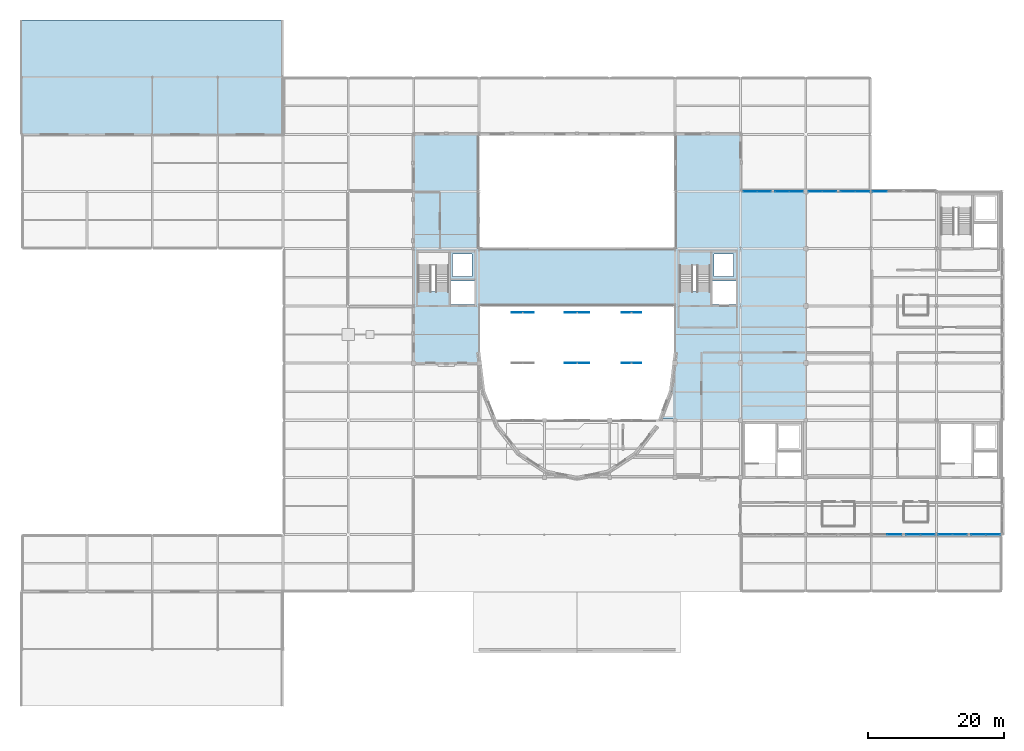
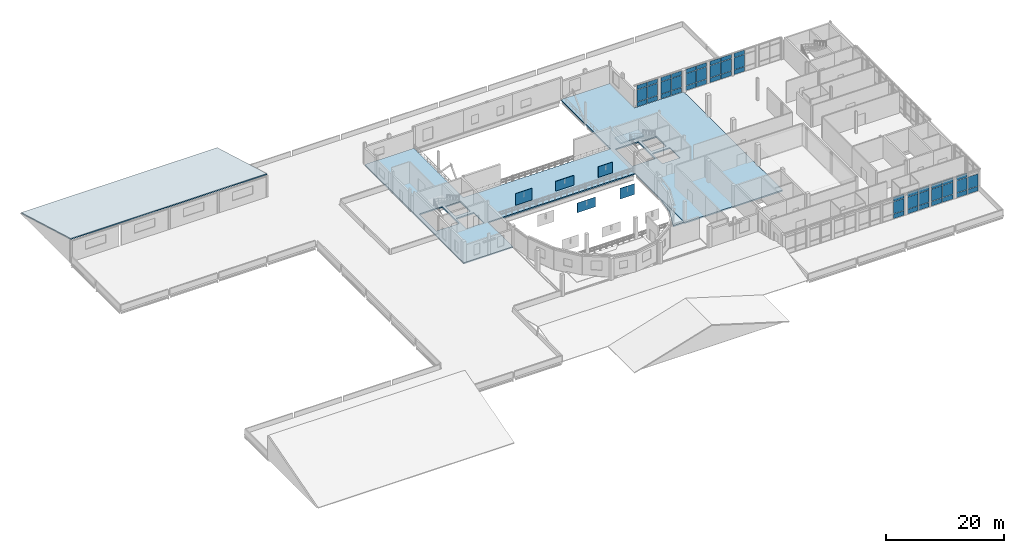
# One storey, part 32 of 52: 52 plates, 4 slabs, 10 elements without a shape of their own.
"""IFC4 building model written with IfcOpenShell, lengths in metres."""

import ifcopenshell
import ifcopenshell.guid

model = None  # the IFC model being written
_history = None  # IfcOwnerHistory: only IFC2X3 demands one
_inside = {}  # id of a spatial element -> (the spatial element, [elements in it])
_under = {}  # id of a project, library or spatial element -> (it, [spatial elements below it])
_declared = {}  # id of a project -> (the project, [libraries it declares])
_typed = {}  # id of a type object -> (the type object, [elements of that type])
_made_of = {}  # id of a material, layer set ... -> (it, [elements and type objects made of it])


def new_model(schema):
    """Start an empty IFC model of exactly this schema.

    Asked for "IFC4X3", IfcOpenShell would pick the latest addendum, in which some entities
    have other attributes; the version numbers below select the first issue.
    IFC2X3 requires an IfcOwnerHistory on every rooted entity: one is made here for all.
    """
    global model, _history
    if schema == "IFC4X3":
        model = ifcopenshell.file(schema_version=(4, 3, 0, 0))
    else:
        model = ifcopenshell.file(schema=schema)
    _inside.clear()
    _under.clear()
    _declared.clear()
    _typed.clear()
    _made_of.clear()
    _history = None
    if model.schema == "IFC2X3":
        org = make("IfcOrganization", Name="unknown")
        user = make(
            "IfcPersonAndOrganization",
            ThePerson=make("IfcPerson", FamilyName="unknown"),
            TheOrganization=org,
        )
        app = make(
            "IfcApplication",
            ApplicationDeveloper=org,
            Version="unknown",
            ApplicationFullName="unknown",
            ApplicationIdentifier="unknown",
        )
        _history = make(
            "IfcOwnerHistory",
            OwningUser=user,
            OwningApplication=app,
            ChangeAction="ADDED",
            CreationDate=0,
        )
    return model


def make(cls, **values):
    """One entity of the class cls with the attributes given. An attribute that is None is left unset."""
    return model.create_entity(
        cls, **{name: value for name, value in values.items() if value is not None}
    )


def rooted(cls, **values):
    """An entity with a GlobalId (a new one), such as an element, a storey or a relation."""
    return make(cls, GlobalId=ifcopenshell.guid.new(), OwnerHistory=_history, **values)


def si_unit(unit_type, name, prefix=None):
    """IfcSIUnit, for example si_unit("LENGTHUNIT", "METRE", prefix="MILLI")."""
    return make("IfcSIUnit", UnitType=unit_type, Prefix=prefix, Name=name)


def assignment(units):
    """IfcUnitAssignment: the units of a project."""
    return None if units is None else make("IfcUnitAssignment", Units=units)


def point(xyz):
    """IfcCartesianPoint."""
    return None if xyz is None else make("IfcCartesianPoint", Coordinates=xyz)


def direction(xyz):
    """IfcDirection."""
    return None if xyz is None else make("IfcDirection", DirectionRatios=xyz)


def frame(location, z_axis=None, x_axis=None):
    """IfcAxis2Placement3D, a coordinate frame: its origin and axes. An axis left out is left unset."""
    return make(
        "IfcAxis2Placement3D",
        Location=point(location),
        Axis=direction(z_axis),
        RefDirection=direction(x_axis),
    )


def frame_2d(location, x_axis=None):
    """IfcAxis2Placement2D, a coordinate frame in the plane: its origin and x axis."""
    return make(
        "IfcAxis2Placement2D", Location=point(location), RefDirection=direction(x_axis)
    )


def origin():
    """The frame at (0, 0, 0) with its axes left unset."""
    return frame((0.0, 0.0, 0.0))


def origin_2d():
    """The frame at (0, 0) in the plane with its x axis left unset."""
    return frame_2d((0.0, 0.0))


def place(relative_to, where):
    """IfcLocalPlacement: puts the frame where relative to a parent placement (None: the world)."""
    return make(
        "IfcLocalPlacement", PlacementRelTo=relative_to, RelativePlacement=where
    )


def context(
    kind, dimensions, precision=None, world=None, true_north=None, identifier=None
):
    """IfcGeometricRepresentationContext, for example the 3D "Model" context."""
    return make(
        "IfcGeometricRepresentationContext",
        ContextIdentifier=identifier,
        ContextType=kind,
        CoordinateSpaceDimension=dimensions,
        Precision=precision,
        WorldCoordinateSystem=world,
        TrueNorth=true_north,
    )


def subcontext(parent, identifier, kind, view, scale=None):
    """IfcGeometricRepresentationSubContext, for example "Body" below "Model"."""
    return make(
        "IfcGeometricRepresentationSubContext",
        ContextIdentifier=identifier,
        ContextType=kind,
        ParentContext=parent,
        TargetScale=scale,
        TargetView=view,
    )


def project(units=None, contexts=None):
    """IfcProject with its units and contexts."""
    return rooted(
        "IfcProject",
        Name="project",
        RepresentationContexts=contexts,
        UnitsInContext=assignment(units),
    )


def spatial(cls, under=None, at=None, **own):
    """A site, building, storey or space (cls), placed at a placement, below another one or the project."""
    s = rooted(cls, ObjectPlacement=at, **own)
    if under is not None:
        _under.setdefault(under.id(), (under, []))[1].append(s)
    return s


def polyline(points):
    """IfcPolyline through the points."""
    return make("IfcPolyline", Points=[point(p) for p in points])


def profile(cls, at=None, kind="AREA", **sizes):
    """A parametric profile (cls). Its sizes go by their IFC names, for example OverallWidth=200.0."""
    return make(cls, ProfileType=kind, Position=at, **sizes)


def rectangle(**sizes):
    """IfcRectangleProfileDef."""
    return profile("IfcRectangleProfileDef", **sizes)


def outline(outer, holes=None, kind="AREA"):
    """IfcArbitraryClosedProfileDef: a profile drawn as a closed curve; with holes, ...WithVoids."""
    if holes is None:
        return make("IfcArbitraryClosedProfileDef", ProfileType=kind, OuterCurve=outer)
    return make(
        "IfcArbitraryProfileDefWithVoids",
        ProfileType=kind,
        OuterCurve=outer,
        InnerCurves=holes,
    )


def extrude(swept, where, along, depth):
    """IfcExtrudedAreaSolid: the profile swept, set in the frame where, extruded along a direction by depth."""
    return make(
        "IfcExtrudedAreaSolid",
        SweptArea=swept,
        Position=where,
        ExtrudedDirection=direction(along),
        Depth=depth,
    )


def shape(context_of_items, identifier, shape_type, items):
    """IfcShapeRepresentation: the items that make up one representation, for example the "Body"."""
    return make(
        "IfcShapeRepresentation",
        ContextOfItems=context_of_items,
        RepresentationIdentifier=identifier,
        RepresentationType=shape_type,
        Items=items,
    )


def material(Name=None, Category=None):
    """IfcMaterial."""
    return make("IfcMaterial", Name=Name, Category=Category)


def layer(
    of_material, thickness, ventilated=None, Name=None, Category=None, Priority=None
):
    """IfcMaterialLayer: one layer of a wall or slab, of a material (None: an air gap)."""
    return make(
        "IfcMaterialLayer",
        Material=of_material,
        LayerThickness=thickness,
        IsVentilated=ventilated,
        Name=Name,
        Category=Category,
        Priority=Priority,
    )


def layer_set(layers, Name=None):
    """IfcMaterialLayerSet."""
    return make("IfcMaterialLayerSet", MaterialLayers=layers, LayerSetName=Name)


def made_of(thing, what):
    """Note that an element or type object is made of a material, layer set ...; save() writes the relation."""
    if what is not None:
        _made_of.setdefault(what.id(), (what, []))[1].append(thing)
    return thing


def type_object(cls, material=None, **own):
    """A type object (cls), such as IfcWallType, which elements share."""
    return made_of(rooted(cls, **own), material)


def element(
    cls,
    number,
    at=None,
    inside=None,
    cuts=None,
    type_object=None,
    material=None,
    context=None,
    identifier="Body",
    shape_type=None,
    held_by="IfcProductDefinitionShape",
    body=None,
    shapes=None,
    **own,
):
    """One element of the class cls, such as IfcWall. Its Tag is "e" and its number.

    at: its placement. inside: the storey or other place that contains it. cuts: it is an
    opening in that element (IfcRelVoidsElement). A single representation is given by context,
    identifier, shape_type and body (its items); several are given by shapes. held_by: the class
    of the entity that holds the representations. save() writes the other relations.
    """
    e = rooted(cls, Tag="e%d" % number, ObjectPlacement=at, **own)
    if body is not None:
        shapes = [shape(context, identifier, shape_type, body)]
    if shapes is not None:
        e.Representation = make(held_by, Representations=shapes)
    if inside is not None:
        _inside.setdefault(inside.id(), (inside, []))[1].append(e)
    if cuts is not None:
        rooted(
            "IfcRelVoidsElement", RelatingBuildingElement=cuts, RelatedOpeningElement=e
        )
    if type_object is not None:
        _typed.setdefault(type_object.id(), (type_object, []))[1].append(e)
    return made_of(e, material)


def aggregate(whole, parts):
    """IfcRelAggregates: a whole, such as a stair, and the parts it consists of."""
    return rooted("IfcRelAggregates", RelatingObject=whole, RelatedObjects=parts)


def save(model, path):
    """Write the relations noted so far, then the file.

    IfcRelAggregates (storeys below a building ...), IfcRelContainedInSpatialStructure (elements
    in a storey), IfcRelDefinesByType, IfcRelAssociatesMaterial and IfcRelDeclares: one each for
    every whole, place, type object, material and project.
    """
    for whole, parts in _under.values():
        aggregate(whole, parts)
    for where, things in _inside.values():
        rooted(
            "IfcRelContainedInSpatialStructure",
            RelatedElements=things,
            RelatingStructure=where,
        )
    for kind, things in _typed.values():
        rooted("IfcRelDefinesByType", RelatedObjects=things, RelatingType=kind)
    for what, things in _made_of.values():
        rooted("IfcRelAssociatesMaterial", RelatedObjects=things, RelatingMaterial=what)
    for by, libraries in _declared.values():
        rooted("IfcRelDeclares", RelatingContext=by, RelatedDefinitions=libraries)
    model.write(path)


model = new_model("IFC4")

# Units and contexts
model_context = context("Model", 3, precision=1e-05, world=origin(), true_north=direction((0.0, 1.0)))
body_context = subcontext(model_context, "Body", "Model", "MODEL_VIEW")
ifc_project = project(units=[si_unit("LENGTHUNIT", "METRE"), si_unit("AREAUNIT", "SQUARE_METRE"), si_unit("VOLUMEUNIT", "CUBIC_METRE"), si_unit("PLANEANGLEUNIT", "RADIAN"), si_unit("MASSUNIT", "GRAM", prefix="KILO")], contexts=[model_context])

# Site, building, storey
site_placement = place(None, origin())
site = spatial("IfcSite", under=ifc_project, at=site_placement, CompositionType="ELEMENT")
building_placement = place(site_placement, origin())
building = spatial("IfcBuilding", under=site, at=building_placement, Name="Lornevale Opera House", CompositionType="ELEMENT")
storey_placement = place(building_placement, frame((0.0, 0.0, 15.0)))
storey = spatial("IfcBuildingStorey", under=building, at=storey_placement, Name="L04", CompositionType="ELEMENT", Elevation=15.0)

# Curtain wall, plates
ifc_material_1 = material(Name="Anodized Oxide-Green Aluminium Framing", Category="aluminium")
ifc_layer_1 = layer(ifc_material_1, 0.18505859375)
ifc_layer_set_1 = layer_set([ifc_layer_1], Name="Anodized Oxide-Green Aluminium Framing")
curtain_wall_type = type_object("IfcCurtainWallType", Name="Conservatory Curtain Wall M2100", PredefinedType="NOTDEFINED", material=ifc_layer_set_1)
curtain_wall_1_placement = place(storey_placement, origin())
curtain_wall_1 = element("IfcCurtainWall", 1, at=curtain_wall_1_placement, inside=storey, type_object=curtain_wall_type, Name="Conservatory Curtain Wall M2100 CW-151", PredefinedType="NOTDEFINED")
ifc_layer_2 = layer(ifc_material_1, 0.06494140625)
ifc_layer_set_2 = layer_set([ifc_layer_2], Name="Anodized Oxide-Green Aluminium Framing")
plate_type_1 = type_object("IfcPlateType", Name="Insulated Shadow-Box Spandrel 65", PredefinedType="CURTAIN_PANEL", material=ifc_layer_set_2)
plate_1_placement = place(storey_placement, frame((107.043212890625, 75.60009765625, 0.074951171875), z_axis=(0.0, 0.0, 1.0), x_axis=(1.0, 0.0, 0.0)))
plate_1 = element("IfcPlate", 2, at=plate_1_placement, type_object=plate_type_1, Name="Insulated Shadow-Box Spandrel 65 CW3126", PredefinedType="CURTAIN_PANEL", context=body_context, shape_type="SweptSolid", body=[
    extrude(rectangle(XDim=1.964599609375, YDim=0.06494140625, at=origin_2d()), origin(), (0.0, 0.0, 1.0), 0.9375),
])
plate_2_placement = place(storey_placement, frame((107.043212890625, 75.60009765625, 1.08740234375), z_axis=(0.0, 0.0, 1.0), x_axis=(1.0, 0.0, 0.0)))
plate_2 = element("IfcPlate", 3, at=plate_2_placement, type_object=plate_type_1, Name="Insulated Shadow-Box Spandrel 65 CW3127", PredefinedType="CURTAIN_PANEL", context=body_context, shape_type="SweptSolid", body=[
    extrude(rectangle(XDim=1.964599609375, YDim=0.06494140625, at=origin_2d()), origin(), (0.0, 0.0, 1.0), 2.485107421875),
])
plate_3_placement = place(storey_placement, frame((107.043212890625, 75.60009765625, 3.647705078125), z_axis=(0.0, 0.0, 1.0), x_axis=(1.0, 0.0, 0.0)))
plate_3 = element("IfcPlate", 4, at=plate_3_placement, type_object=plate_type_1, Name="Insulated Shadow-Box Spandrel 65 CW3128", PredefinedType="CURTAIN_PANEL", context=body_context, shape_type="SweptSolid", body=[
    extrude(rectangle(XDim=1.964599609375, YDim=0.06494140625, at=origin_2d()), origin(), (0.0, 0.0, 1.0), 0.83740234375),
])
plate_4_placement = place(storey_placement, frame((109.07275390625, 75.60009765625, 0.074951171875), z_axis=(0.0, 0.0, 1.0), x_axis=(1.0, 0.0, 0.0)))
plate_4 = element("IfcPlate", 5, at=plate_4_placement, type_object=plate_type_1, Name="Insulated Shadow-Box Spandrel 65 CW3133", PredefinedType="CURTAIN_PANEL", context=body_context, shape_type="SweptSolid", body=[
    extrude(rectangle(XDim=1.964599609375, YDim=0.06494140625, at=origin_2d()), origin(), (0.0, 0.0, 1.0), 0.9375),
])
plate_5_placement = place(storey_placement, frame((109.07275390625, 75.60009765625, 1.08740234375), z_axis=(0.0, 0.0, 1.0), x_axis=(1.0, 0.0, 0.0)))
plate_5 = element("IfcPlate", 6, at=plate_5_placement, type_object=plate_type_1, Name="Insulated Shadow-Box Spandrel 65 CW3134", PredefinedType="CURTAIN_PANEL", context=body_context, shape_type="SweptSolid", body=[
    extrude(rectangle(XDim=1.964599609375, YDim=0.06494140625, at=origin_2d()), origin(), (0.0, 0.0, 1.0), 2.485107421875),
])
plate_6_placement = place(storey_placement, frame((109.07275390625, 75.60009765625, 3.647705078125), z_axis=(0.0, 0.0, 1.0), x_axis=(1.0, 0.0, 0.0)))
plate_6 = element("IfcPlate", 7, at=plate_6_placement, type_object=plate_type_1, Name="Insulated Shadow-Box Spandrel 65 CW3135", PredefinedType="CURTAIN_PANEL", context=body_context, shape_type="SweptSolid", body=[
    extrude(rectangle(XDim=1.964599609375, YDim=0.06494140625, at=origin_2d()), origin(), (0.0, 0.0, 1.0), 0.83740234375),
])
aggregate(curtain_wall_1, [plate_1, plate_2, plate_3, plate_4, plate_5, plate_6])

curtain_wall_2_placement = place(storey_placement, origin())
curtain_wall_2 = element("IfcCurtainWall", 8, at=curtain_wall_2_placement, inside=storey, type_object=curtain_wall_type, Name="Conservatory Curtain Wall M2100 CW-152", PredefinedType="NOTDEFINED")
plate_7_placement = place(storey_placement, frame((111.73974609375, 75.60009765625, 0.074951171875), z_axis=(0.0, 0.0, 1.0), x_axis=(1.0, 0.0, 0.0)))
plate_7 = element("IfcPlate", 9, at=plate_7_placement, type_object=plate_type_1, Name="Insulated Shadow-Box Spandrel 65 CW3143", PredefinedType="CURTAIN_PANEL", context=body_context, shape_type="SweptSolid", body=[
    extrude(rectangle(XDim=1.989501953125, YDim=0.06494140625, at=origin_2d()), origin(), (0.0, 0.0, 1.0), 0.9375),
])
plate_8_placement = place(storey_placement, frame((111.73974609375, 75.60009765625, 1.08740234375), z_axis=(0.0, 0.0, 1.0), x_axis=(1.0, 0.0, 0.0)))
plate_8 = element("IfcPlate", 10, at=plate_8_placement, type_object=plate_type_1, Name="Insulated Shadow-Box Spandrel 65 CW3144", PredefinedType="CURTAIN_PANEL", context=body_context, shape_type="SweptSolid", body=[
    extrude(rectangle(XDim=1.989501953125, YDim=0.06494140625, at=origin_2d()), origin(), (0.0, 0.0, 1.0), 2.485107421875),
])
plate_9_placement = place(storey_placement, frame((111.73974609375, 75.60009765625, 3.647705078125), z_axis=(0.0, 0.0, 1.0), x_axis=(1.0, 0.0, 0.0)))
plate_9 = element("IfcPlate", 11, at=plate_9_placement, type_object=plate_type_1, Name="Insulated Shadow-Box Spandrel 65 CW3145", PredefinedType="CURTAIN_PANEL", context=body_context, shape_type="SweptSolid", body=[
    extrude(rectangle(XDim=1.989501953125, YDim=0.06494140625, at=origin_2d()), origin(), (0.0, 0.0, 1.0), 0.83740234375),
])
plate_10_placement = place(storey_placement, frame((113.794189453125, 75.60009765625, 0.074951171875), z_axis=(0.0, 0.0, 1.0), x_axis=(1.0, 0.0, 0.0)))
plate_10 = element("IfcPlate", 12, at=plate_10_placement, type_object=plate_type_1, Name="Insulated Shadow-Box Spandrel 65 CW3150", PredefinedType="CURTAIN_PANEL", context=body_context, shape_type="SweptSolid", body=[
    extrude(rectangle(XDim=1.989501953125, YDim=0.06494140625, at=origin_2d()), origin(), (0.0, 0.0, 1.0), 0.9375),
])
plate_11_placement = place(storey_placement, frame((113.794189453125, 75.60009765625, 1.08740234375), z_axis=(0.0, 0.0, 1.0), x_axis=(1.0, 0.0, 0.0)))
plate_11 = element("IfcPlate", 13, at=plate_11_placement, type_object=plate_type_1, Name="Insulated Shadow-Box Spandrel 65 CW3151", PredefinedType="CURTAIN_PANEL", context=body_context, shape_type="SweptSolid", body=[
    extrude(rectangle(XDim=1.989501953125, YDim=0.06494140625, at=origin_2d()), origin(), (0.0, 0.0, 1.0), 2.485107421875),
])
plate_12_placement = place(storey_placement, frame((113.794189453125, 75.60009765625, 3.647705078125), z_axis=(0.0, 0.0, 1.0), x_axis=(1.0, 0.0, 0.0)))
plate_12 = element("IfcPlate", 14, at=plate_12_placement, type_object=plate_type_1, Name="Insulated Shadow-Box Spandrel 65 CW3152", PredefinedType="CURTAIN_PANEL", context=body_context, shape_type="SweptSolid", body=[
    extrude(rectangle(XDim=1.989501953125, YDim=0.06494140625, at=origin_2d()), origin(), (0.0, 0.0, 1.0), 0.83740234375),
])
aggregate(curtain_wall_2, [plate_7, plate_8, plate_9, plate_10, plate_11, plate_12])

curtain_wall_3_placement = place(storey_placement, origin())
curtain_wall_3 = element("IfcCurtainWall", 15, at=curtain_wall_3_placement, inside=storey, type_object=curtain_wall_type, Name="Conservatory Curtain Wall M2100 CW-155", PredefinedType="NOTDEFINED")
plate_13_placement = place(storey_placement, frame((116.605712890625, 75.60009765625, 0.074951171875), z_axis=(0.0, 0.0, 1.0), x_axis=(1.0, 0.0, 0.0)))
plate_13 = element("IfcPlate", 16, at=plate_13_placement, type_object=plate_type_1, Name="Insulated Shadow-Box Spandrel 65 CW3194", PredefinedType="CURTAIN_PANEL", context=body_context, shape_type="SweptSolid", body=[
    extrude(rectangle(XDim=1.989501953125, YDim=0.06494140625, at=origin_2d()), origin(), (0.0, 0.0, 1.0), 0.9375),
])
plate_14_placement = place(storey_placement, frame((116.605712890625, 75.60009765625, 1.08740234375), z_axis=(0.0, 0.0, 1.0), x_axis=(1.0, 0.0, 0.0)))
plate_14 = element("IfcPlate", 17, at=plate_14_placement, type_object=plate_type_1, Name="Insulated Shadow-Box Spandrel 65 CW3195", PredefinedType="CURTAIN_PANEL", context=body_context, shape_type="SweptSolid", body=[
    extrude(rectangle(XDim=1.989501953125, YDim=0.06494140625, at=origin_2d()), origin(), (0.0, 0.0, 1.0), 2.485107421875),
])
plate_15_placement = place(storey_placement, frame((116.605712890625, 75.60009765625, 3.647705078125), z_axis=(0.0, 0.0, 1.0), x_axis=(1.0, 0.0, 0.0)))
plate_15 = element("IfcPlate", 18, at=plate_15_placement, type_object=plate_type_1, Name="Insulated Shadow-Box Spandrel 65 CW3196", PredefinedType="CURTAIN_PANEL", context=body_context, shape_type="SweptSolid", body=[
    extrude(rectangle(XDim=1.989501953125, YDim=0.06494140625, at=origin_2d()), origin(), (0.0, 0.0, 1.0), 0.83740234375),
])
plate_16_placement = place(storey_placement, frame((118.660400390625, 75.60009765625, 0.074951171875), z_axis=(0.0, 0.0, 1.0), x_axis=(1.0, 0.0, 0.0)))
plate_16 = element("IfcPlate", 19, at=plate_16_placement, type_object=plate_type_1, Name="Insulated Shadow-Box Spandrel 65 CW3201", PredefinedType="CURTAIN_PANEL", context=body_context, shape_type="SweptSolid", body=[
    extrude(rectangle(XDim=1.989501953125, YDim=0.06494140625, at=origin_2d()), origin(), (0.0, 0.0, 1.0), 0.9375),
])
plate_17_placement = place(storey_placement, frame((118.660400390625, 75.60009765625, 1.08740234375), z_axis=(0.0, 0.0, 1.0), x_axis=(1.0, 0.0, 0.0)))
plate_17 = element("IfcPlate", 20, at=plate_17_placement, type_object=plate_type_1, Name="Insulated Shadow-Box Spandrel 65 CW3202", PredefinedType="CURTAIN_PANEL", context=body_context, shape_type="SweptSolid", body=[
    extrude(rectangle(XDim=1.989501953125, YDim=0.06494140625, at=origin_2d()), origin(), (0.0, 0.0, 1.0), 2.485107421875),
])
plate_18_placement = place(storey_placement, frame((118.660400390625, 75.60009765625, 3.647705078125), z_axis=(0.0, 0.0, 1.0), x_axis=(1.0, 0.0, 0.0)))
plate_18 = element("IfcPlate", 21, at=plate_18_placement, type_object=plate_type_1, Name="Insulated Shadow-Box Spandrel 65 CW3203", PredefinedType="CURTAIN_PANEL", context=body_context, shape_type="SweptSolid", body=[
    extrude(rectangle(XDim=1.989501953125, YDim=0.06494140625, at=origin_2d()), origin(), (0.0, 0.0, 1.0), 0.83740234375),
])
aggregate(curtain_wall_3, [plate_13, plate_14, plate_15, plate_16, plate_17, plate_18])

curtain_wall_4_placement = place(storey_placement, origin())
curtain_wall_4 = element("IfcCurtainWall", 22, at=curtain_wall_4_placement, inside=storey, type_object=curtain_wall_type, Name="Conservatory Curtain Wall M2100 CW-156", PredefinedType="NOTDEFINED")
plate_19_placement = place(storey_placement, frame((121.380615234375, 75.60009765625, 0.074951171875), z_axis=(0.0, 0.0, 1.0), x_axis=(1.0, 0.0, 0.0)))
plate_19 = element("IfcPlate", 23, at=plate_19_placement, type_object=plate_type_1, Name="Insulated Shadow-Box Spandrel 65 CW3211", PredefinedType="CURTAIN_PANEL", context=body_context, shape_type="SweptSolid", body=[
    extrude(rectangle(XDim=2.0712890625, YDim=0.06494140625, at=origin_2d()), origin(), (0.0, 0.0, 1.0), 0.9375),
])
plate_20_placement = place(storey_placement, frame((121.380615234375, 75.60009765625, 1.08740234375), z_axis=(0.0, 0.0, 1.0), x_axis=(1.0, 0.0, 0.0)))
plate_20 = element("IfcPlate", 24, at=plate_20_placement, type_object=plate_type_1, Name="Insulated Shadow-Box Spandrel 65 CW3212", PredefinedType="CURTAIN_PANEL", context=body_context, shape_type="SweptSolid", body=[
    extrude(rectangle(XDim=2.0712890625, YDim=0.06494140625, at=origin_2d()), origin(), (0.0, 0.0, 1.0), 2.485107421875),
])
plate_21_placement = place(storey_placement, frame((121.380615234375, 75.60009765625, 3.647705078125), z_axis=(0.0, 0.0, 1.0), x_axis=(1.0, 0.0, 0.0)))
plate_21 = element("IfcPlate", 25, at=plate_21_placement, type_object=plate_type_1, Name="Insulated Shadow-Box Spandrel 65 CW3213", PredefinedType="CURTAIN_PANEL", context=body_context, shape_type="SweptSolid", body=[
    extrude(rectangle(XDim=2.0712890625, YDim=0.06494140625, at=origin_2d()), origin(), (0.0, 0.0, 1.0), 0.83740234375),
])
plate_22_placement = place(storey_placement, frame((123.516845703125, 75.60009765625, 0.074951171875), z_axis=(0.0, 0.0, 1.0), x_axis=(1.0, 0.0, 0.0)))
plate_22 = element("IfcPlate", 26, at=plate_22_placement, type_object=plate_type_1, Name="Insulated Shadow-Box Spandrel 65 CW3218", PredefinedType="CURTAIN_PANEL", context=body_context, shape_type="SweptSolid", body=[
    extrude(rectangle(XDim=2.0712890625, YDim=0.06494140625, at=origin_2d()), origin(), (0.0, 0.0, 1.0), 0.9375),
])
plate_23_placement = place(storey_placement, frame((123.516845703125, 75.60009765625, 1.08740234375), z_axis=(0.0, 0.0, 1.0), x_axis=(1.0, 0.0, 0.0)))
plate_23 = element("IfcPlate", 27, at=plate_23_placement, type_object=plate_type_1, Name="Insulated Shadow-Box Spandrel 65 CW3219", PredefinedType="CURTAIN_PANEL", context=body_context, shape_type="SweptSolid", body=[
    extrude(rectangle(XDim=2.0712890625, YDim=0.06494140625, at=origin_2d()), origin(), (0.0, 0.0, 1.0), 2.485107421875),
])
plate_24_placement = place(storey_placement, frame((123.516845703125, 75.60009765625, 3.647705078125), z_axis=(0.0, 0.0, 1.0), x_axis=(1.0, 0.0, 0.0)))
plate_24 = element("IfcPlate", 28, at=plate_24_placement, type_object=plate_type_1, Name="Insulated Shadow-Box Spandrel 65 CW3220", PredefinedType="CURTAIN_PANEL", context=body_context, shape_type="SweptSolid", body=[
    extrude(rectangle(XDim=2.0712890625, YDim=0.06494140625, at=origin_2d()), origin(), (0.0, 0.0, 1.0), 0.83740234375),
])
aggregate(curtain_wall_4, [plate_19, plate_20, plate_21, plate_22, plate_23, plate_24])

curtain_wall_5_placement = place(storey_placement, origin())
curtain_wall_5 = element("IfcCurtainWall", 29, at=curtain_wall_5_placement, inside=storey, type_object=curtain_wall_type, Name="Conservatory Curtain Wall M2100 CW-157", PredefinedType="NOTDEFINED")
plate_25_placement = place(storey_placement, frame((133.116943359375, 25.199951171875, 0.074951171875), z_axis=(0.0, 0.0, 1.0), x_axis=(-1.0, 0.0, 0.0)))
plate_25 = element("IfcPlate", 30, at=plate_25_placement, type_object=plate_type_1, Name="Insulated Shadow-Box Spandrel 65 CW3228", PredefinedType="CURTAIN_PANEL", context=body_context, shape_type="SweptSolid", body=[
    extrude(rectangle(XDim=2.0712890625, YDim=0.06494140625, at=origin_2d()), origin(), (0.0, 0.0, 1.0), 0.9375),
])
plate_26_placement = place(storey_placement, frame((133.116943359375, 25.199951171875, 1.08740234375), z_axis=(0.0, 0.0, 1.0), x_axis=(-1.0, 0.0, 0.0)))
plate_26 = element("IfcPlate", 31, at=plate_26_placement, type_object=plate_type_1, Name="Insulated Shadow-Box Spandrel 65 CW3229", PredefinedType="CURTAIN_PANEL", context=body_context, shape_type="SweptSolid", body=[
    extrude(rectangle(XDim=2.0712890625, YDim=0.06494140625, at=origin_2d()), origin(), (0.0, 0.0, 1.0), 2.485107421875),
])
plate_27_placement = place(storey_placement, frame((133.116943359375, 25.199951171875, 3.647705078125), z_axis=(0.0, 0.0, 1.0), x_axis=(-1.0, 0.0, 0.0)))
plate_27 = element("IfcPlate", 32, at=plate_27_placement, type_object=plate_type_1, Name="Insulated Shadow-Box Spandrel 65 CW3230", PredefinedType="CURTAIN_PANEL", context=body_context, shape_type="SweptSolid", body=[
    extrude(rectangle(XDim=2.0712890625, YDim=0.06494140625, at=origin_2d()), origin(), (0.0, 0.0, 1.0), 0.83740234375),
])
plate_28_placement = place(storey_placement, frame((130.980712890625, 25.199951171875, 0.074951171875), z_axis=(0.0, 0.0, 1.0), x_axis=(-1.0, 0.0, 0.0)))
plate_28 = element("IfcPlate", 33, at=plate_28_placement, type_object=plate_type_1, Name="Insulated Shadow-Box Spandrel 65 CW3235", PredefinedType="CURTAIN_PANEL", context=body_context, shape_type="SweptSolid", body=[
    extrude(rectangle(XDim=2.0712890625, YDim=0.06494140625, at=origin_2d()), origin(), (0.0, 0.0, 1.0), 0.9375),
])
plate_29_placement = place(storey_placement, frame((130.980712890625, 25.199951171875, 1.08740234375), z_axis=(0.0, 0.0, 1.0), x_axis=(-1.0, 0.0, 0.0)))
plate_29 = element("IfcPlate", 34, at=plate_29_placement, type_object=plate_type_1, Name="Insulated Shadow-Box Spandrel 65 CW3236", PredefinedType="CURTAIN_PANEL", context=body_context, shape_type="SweptSolid", body=[
    extrude(rectangle(XDim=2.0712890625, YDim=0.06494140625, at=origin_2d()), origin(), (0.0, 0.0, 1.0), 2.485107421875),
])
plate_30_placement = place(storey_placement, frame((130.980712890625, 25.199951171875, 3.647705078125), z_axis=(0.0, 0.0, 1.0), x_axis=(-1.0, 0.0, 0.0)))
plate_30 = element("IfcPlate", 35, at=plate_30_placement, type_object=plate_type_1, Name="Insulated Shadow-Box Spandrel 65 CW3237", PredefinedType="CURTAIN_PANEL", context=body_context, shape_type="SweptSolid", body=[
    extrude(rectangle(XDim=2.0712890625, YDim=0.06494140625, at=origin_2d()), origin(), (0.0, 0.0, 1.0), 0.83740234375),
])
aggregate(curtain_wall_5, [plate_25, plate_26, plate_27, plate_28, plate_29, plate_30])

curtain_wall_6_placement = place(storey_placement, origin())
curtain_wall_6 = element("IfcCurtainWall", 36, at=curtain_wall_6_placement, inside=storey, type_object=curtain_wall_type, Name="Conservatory Curtain Wall M2100 CW-158", PredefinedType="NOTDEFINED")
plate_31_placement = place(storey_placement, frame((128.219482421875, 25.199951171875, 0.074951171875), z_axis=(0.0, 0.0, 1.0), x_axis=(-1.0, 0.0, 0.0)))
plate_31 = element("IfcPlate", 37, at=plate_31_placement, type_object=plate_type_1, Name="Insulated Shadow-Box Spandrel 65 CW3245", PredefinedType="CURTAIN_PANEL", context=body_context, shape_type="SweptSolid", body=[
    extrude(rectangle(XDim=2.0712890625, YDim=0.06494140625, at=origin_2d()), origin(), (0.0, 0.0, 1.0), 0.9375),
])
plate_32_placement = place(storey_placement, frame((128.219482421875, 25.199951171875, 1.08740234375), z_axis=(0.0, 0.0, 1.0), x_axis=(-1.0, 0.0, 0.0)))
plate_32 = element("IfcPlate", 38, at=plate_32_placement, type_object=plate_type_1, Name="Insulated Shadow-Box Spandrel 65 CW3246", PredefinedType="CURTAIN_PANEL", context=body_context, shape_type="SweptSolid", body=[
    extrude(rectangle(XDim=2.0712890625, YDim=0.06494140625, at=origin_2d()), origin(), (0.0, 0.0, 1.0), 2.485107421875),
])
plate_33_placement = place(storey_placement, frame((128.219482421875, 25.199951171875, 3.647705078125), z_axis=(0.0, 0.0, 1.0), x_axis=(-1.0, 0.0, 0.0)))
plate_33 = element("IfcPlate", 39, at=plate_33_placement, type_object=plate_type_1, Name="Insulated Shadow-Box Spandrel 65 CW3247", PredefinedType="CURTAIN_PANEL", context=body_context, shape_type="SweptSolid", body=[
    extrude(rectangle(XDim=2.0712890625, YDim=0.06494140625, at=origin_2d()), origin(), (0.0, 0.0, 1.0), 0.83740234375),
])
aggregate(curtain_wall_6, [plate_31, plate_32, plate_33])

curtain_wall_7_placement = place(storey_placement, origin())
curtain_wall_7 = element("IfcCurtainWall", 40, at=curtain_wall_7_placement, inside=storey, type_object=curtain_wall_type, Name="Conservatory Curtain Wall M2100 CW-159", PredefinedType="NOTDEFINED")
plate_34_placement = place(storey_placement, frame((126.0830078125, 75.60009765625, 0.074951171875), z_axis=(0.0, 0.0, 1.0), x_axis=(1.0, 0.0, 0.0)))
plate_34 = element("IfcPlate", 41, at=plate_34_placement, type_object=plate_type_1, Name="Insulated Shadow-Box Spandrel 65 CW3262", PredefinedType="CURTAIN_PANEL", context=body_context, shape_type="SweptSolid", body=[
    extrude(rectangle(XDim=2.0712890625, YDim=0.06494140625, at=origin_2d()), origin(), (0.0, 0.0, 1.0), 0.9375),
])
plate_35_placement = place(storey_placement, frame((126.0830078125, 75.60009765625, 1.08740234375), z_axis=(0.0, 0.0, 1.0), x_axis=(1.0, 0.0, 0.0)))
plate_35 = element("IfcPlate", 42, at=plate_35_placement, type_object=plate_type_1, Name="Insulated Shadow-Box Spandrel 65 CW3263", PredefinedType="CURTAIN_PANEL", context=body_context, shape_type="SweptSolid", body=[
    extrude(rectangle(XDim=2.0712890625, YDim=0.06494140625, at=origin_2d()), origin(), (0.0, 0.0, 1.0), 2.485107421875),
])
plate_36_placement = place(storey_placement, frame((126.0830078125, 75.60009765625, 3.647705078125), z_axis=(0.0, 0.0, 1.0), x_axis=(1.0, 0.0, 0.0)))
plate_36 = element("IfcPlate", 43, at=plate_36_placement, type_object=plate_type_1, Name="Insulated Shadow-Box Spandrel 65 CW3264", PredefinedType="CURTAIN_PANEL", context=body_context, shape_type="SweptSolid", body=[
    extrude(rectangle(XDim=2.0712890625, YDim=0.06494140625, at=origin_2d()), origin(), (0.0, 0.0, 1.0), 0.83740234375),
])
aggregate(curtain_wall_7, [plate_34, plate_35, plate_36])

curtain_wall_8_placement = place(storey_placement, origin())
curtain_wall_8 = element("IfcCurtainWall", 44, at=curtain_wall_8_placement, inside=storey, type_object=curtain_wall_type, Name="Conservatory Curtain Wall M2100 CW-161", PredefinedType="NOTDEFINED")
plate_37_placement = place(storey_placement, frame((142.716796875, 25.199951171875, 0.074951171875), z_axis=(0.0, 0.0, 1.0), x_axis=(-1.0, 0.0, 0.0)))
plate_37 = element("IfcPlate", 45, at=plate_37_placement, type_object=plate_type_1, Name="Insulated Shadow-Box Spandrel 65 CW3296", PredefinedType="CURTAIN_PANEL", context=body_context, shape_type="SweptSolid", body=[
    extrude(rectangle(XDim=2.0712890625, YDim=0.06494140625, at=origin_2d()), origin(), (0.0, 0.0, 1.0), 0.9375),
])
plate_38_placement = place(storey_placement, frame((142.716796875, 25.199951171875, 1.08740234375), z_axis=(0.0, 0.0, 1.0), x_axis=(-1.0, 0.0, 0.0)))
plate_38 = element("IfcPlate", 46, at=plate_38_placement, type_object=plate_type_1, Name="Insulated Shadow-Box Spandrel 65 CW3297", PredefinedType="CURTAIN_PANEL", context=body_context, shape_type="SweptSolid", body=[
    extrude(rectangle(XDim=2.0712890625, YDim=0.06494140625, at=origin_2d()), origin(), (0.0, 0.0, 1.0), 2.485107421875),
])
plate_39_placement = place(storey_placement, frame((140.58056640625, 25.199951171875, 0.074951171875), z_axis=(0.0, 0.0, 1.0), x_axis=(-1.0, 0.0, 0.0)))
plate_39 = element("IfcPlate", 47, at=plate_39_placement, type_object=plate_type_1, Name="Insulated Shadow-Box Spandrel 65 CW3303", PredefinedType="CURTAIN_PANEL", context=body_context, shape_type="SweptSolid", body=[
    extrude(rectangle(XDim=2.0712890625, YDim=0.06494140625, at=origin_2d()), origin(), (0.0, 0.0, 1.0), 0.9375),
])
plate_40_placement = place(storey_placement, frame((140.58056640625, 25.199951171875, 1.08740234375), z_axis=(0.0, 0.0, 1.0), x_axis=(-1.0, 0.0, 0.0)))
plate_40 = element("IfcPlate", 48, at=plate_40_placement, type_object=plate_type_1, Name="Insulated Shadow-Box Spandrel 65 CW3304", PredefinedType="CURTAIN_PANEL", context=body_context, shape_type="SweptSolid", body=[
    extrude(rectangle(XDim=2.0712890625, YDim=0.06494140625, at=origin_2d()), origin(), (0.0, 0.0, 1.0), 2.485107421875),
])
plate_41_placement = place(storey_placement, frame((140.58056640625, 25.199951171875, 3.647705078125), z_axis=(0.0, 0.0, 1.0), x_axis=(-1.0, 0.0, 0.0)))
plate_41 = element("IfcPlate", 49, at=plate_41_placement, type_object=plate_type_1, Name="Insulated Shadow-Box Spandrel 65 CW3305", PredefinedType="CURTAIN_PANEL", context=body_context, shape_type="SweptSolid", body=[
    extrude(rectangle(XDim=2.0712890625, YDim=0.06494140625, at=origin_2d()), origin(), (0.0, 0.0, 1.0), 0.83740234375),
])
aggregate(curtain_wall_8, [plate_37, plate_38, plate_39, plate_40, plate_41])

curtain_wall_9_placement = place(storey_placement, origin())
curtain_wall_9 = element("IfcCurtainWall", 50, at=curtain_wall_9_placement, inside=storey, type_object=curtain_wall_type, Name="Conservatory Curtain Wall M2100 CW-162", PredefinedType="NOTDEFINED")
plate_42_placement = place(storey_placement, frame((137.8193359375, 25.199951171875, 0.074951171875), z_axis=(0.0, 0.0, 1.0), x_axis=(-1.0, 0.0, 0.0)))
plate_42 = element("IfcPlate", 51, at=plate_42_placement, type_object=plate_type_1, Name="Insulated Shadow-Box Spandrel 65 CW3313", PredefinedType="CURTAIN_PANEL", context=body_context, shape_type="SweptSolid", body=[
    extrude(rectangle(XDim=2.0712890625, YDim=0.06494140625, at=origin_2d()), origin(), (0.0, 0.0, 1.0), 0.9375),
])
plate_43_placement = place(storey_placement, frame((137.8193359375, 25.199951171875, 1.08740234375), z_axis=(0.0, 0.0, 1.0), x_axis=(-1.0, 0.0, 0.0)))
plate_43 = element("IfcPlate", 52, at=plate_43_placement, type_object=plate_type_1, Name="Insulated Shadow-Box Spandrel 65 CW3314", PredefinedType="CURTAIN_PANEL", context=body_context, shape_type="SweptSolid", body=[
    extrude(rectangle(XDim=2.0712890625, YDim=0.06494140625, at=origin_2d()), origin(), (0.0, 0.0, 1.0), 2.485107421875),
])
plate_44_placement = place(storey_placement, frame((137.8193359375, 25.199951171875, 3.647705078125), z_axis=(0.0, 0.0, 1.0), x_axis=(-1.0, 0.0, 0.0)))
plate_44 = element("IfcPlate", 53, at=plate_44_placement, type_object=plate_type_1, Name="Insulated Shadow-Box Spandrel 65 CW3315", PredefinedType="CURTAIN_PANEL", context=body_context, shape_type="SweptSolid", body=[
    extrude(rectangle(XDim=2.0712890625, YDim=0.06494140625, at=origin_2d()), origin(), (0.0, 0.0, 1.0), 0.83740234375),
])
plate_45_placement = place(storey_placement, frame((135.68310546875, 25.199951171875, 0.074951171875), z_axis=(0.0, 0.0, 1.0), x_axis=(-1.0, 0.0, 0.0)))
plate_45 = element("IfcPlate", 54, at=plate_45_placement, type_object=plate_type_1, Name="Insulated Shadow-Box Spandrel 65 CW3320", PredefinedType="CURTAIN_PANEL", context=body_context, shape_type="SweptSolid", body=[
    extrude(rectangle(XDim=2.0712890625, YDim=0.06494140625, at=origin_2d()), origin(), (0.0, 0.0, 1.0), 0.9375),
])
plate_46_placement = place(storey_placement, frame((135.68310546875, 25.199951171875, 1.08740234375), z_axis=(0.0, 0.0, 1.0), x_axis=(-1.0, 0.0, 0.0)))
plate_46 = element("IfcPlate", 55, at=plate_46_placement, type_object=plate_type_1, Name="Insulated Shadow-Box Spandrel 65 CW3321", PredefinedType="CURTAIN_PANEL", context=body_context, shape_type="SweptSolid", body=[
    extrude(rectangle(XDim=2.0712890625, YDim=0.06494140625, at=origin_2d()), origin(), (0.0, 0.0, 1.0), 2.485107421875),
])
plate_47_placement = place(storey_placement, frame((135.68310546875, 25.199951171875, 3.647705078125), z_axis=(0.0, 0.0, 1.0), x_axis=(-1.0, 0.0, 0.0)))
plate_47 = element("IfcPlate", 56, at=plate_47_placement, type_object=plate_type_1, Name="Insulated Shadow-Box Spandrel 65 CW3322", PredefinedType="CURTAIN_PANEL", context=body_context, shape_type="SweptSolid", body=[
    extrude(rectangle(XDim=2.0712890625, YDim=0.06494140625, at=origin_2d()), origin(), (0.0, 0.0, 1.0), 0.83740234375),
])
aggregate(curtain_wall_9, [plate_42, plate_43, plate_44, plate_45, plate_46, plate_47])

# Slab
ifc_material_2 = material(Name="Concrete 35 MPa (CSA A23.1 N)", Category="concrete")
ifc_layer_3 = layer(ifc_material_2, 0.199951171875)
ifc_layer_set_3 = layer_set([ifc_layer_3], Name="Concrete 35 MPa (CSA A23.1 N)")
slab_type_1 = type_object("IfcSlabType", Name="Monopitch Studio Roof Slab 200", PredefinedType="ROOF", material=ifc_layer_set_3)
slab_1_placement = place(storey_placement, frame((0.0, 84.0, 4.8173828125), z_axis=(0.0, 0.275639805337, 0.961260993546), x_axis=(1.0, 0.0, 0.0)))
element("IfcSlab", 57, at=slab_1_placement, inside=storey, type_object=slab_type_1, Name="Monopitch Studio Roof Slab 200 SL-066", PredefinedType="ROOF", context=body_context, shape_type="SweptSolid", body=[
    extrude(outline(polyline([(0.0, 0.0), (38.39990234375, 0.0), (38.39990234375, 17.477094088822508), (0.0, 17.477094088822508), (0.0, 0.0)])), origin(), (0.0, 0.0, -1.0), 0.199951171875),
])

# Plates
ifc_material_3 = material(Name="White Oak Acoustic Panelling", Category="wood")
ifc_layer_4 = layer(ifc_material_3, 2.199951171875)
ifc_layer_set_4 = layer_set([ifc_layer_4], Name="White Oak Acoustic Panelling")
plate_type_2 = type_object("IfcPlateType", Name="Oak Acoustic Reflector Panel 2800x2200", PredefinedType="SHEET", material=ifc_layer_set_4)
for number, where, z_axis, x_axis, name in (
    (58, (89.60009765625, 50.39990234375, 2.5), (0.0, 0.0, 1.0), (1.0, 0.0, 0.0), "Oak Acoustic Reflector Panel 2800x2200 PT-0023"),
    (59, (89.60009765625, 57.800048828125, 2.5), (0.0, 0.0, 1.0), (1.0, 0.0, 0.0), "Oak Acoustic Reflector Panel 2800x2200 PT-0029"),
):
    element("IfcPlate", number, at=place(storey_placement, frame(where, z_axis=z_axis, x_axis=x_axis)), inside=storey, type_object=plate_type_2, Name=name, PredefinedType="SHEET", context=body_context, shape_type="SweptSolid", body=[
        extrude(rectangle(XDim=2.800048828125, YDim=0.06005859375, at=origin_2d()), origin(), (0.0, 0.0, 1.0), 2.199951171875),
    ])
ifc_layer_5 = layer(ifc_material_3, 2.39990234375)
ifc_layer_set_5 = layer_set([ifc_layer_5], Name="White Oak Acoustic Panelling")
plate_type_3 = type_object("IfcPlateType", Name="Oak Acoustic Reflector Panel 3200x2400", PredefinedType="SHEET", material=ifc_layer_set_5)
plate_48_placement = place(storey_placement, frame((73.60009765625, 57.800048828125, 2.400146484375), z_axis=(0.0, 0.0, 1.0), x_axis=(1.0, 0.0, 0.0)))
element("IfcPlate", 60, at=plate_48_placement, inside=storey, type_object=plate_type_3, Name="Oak Acoustic Reflector Panel 3200x2400 PT-0027", PredefinedType="SHEET", context=body_context, shape_type="SweptSolid", body=[
    extrude(rectangle(XDim=3.199951171875, YDim=0.06005859375, at=origin_2d()), origin(), (0.0, 0.0, 1.0), 2.39990234375),
])
ifc_layer_6 = layer(ifc_material_3, 2.0)
ifc_layer_set_6 = layer_set([ifc_layer_6], Name="White Oak Acoustic Panelling")
plate_type_4 = type_object("IfcPlateType", Name="Proscenium Sound Canopy Panel 3600x2000", PredefinedType="SHEET", material=ifc_layer_set_6)
for number, where, z_axis, x_axis, name in (
    (61, (81.60009765625, 50.39990234375, 2.60009765625), (0.0, 0.0, 1.0), (1.0, 0.0, 0.0), "Proscenium Sound Canopy Panel 3600x2000 PT-0022"),
    (62, (81.60009765625, 57.800048828125, 2.60009765625), (0.0, 0.0, 1.0), (1.0, 0.0, 0.0), "Proscenium Sound Canopy Panel 3600x2000 PT-0028"),
):
    element("IfcPlate", number, at=place(storey_placement, frame(where, z_axis=z_axis, x_axis=x_axis)), inside=storey, type_object=plate_type_4, Name=name, PredefinedType="SHEET", context=body_context, shape_type="SweptSolid", body=[
        extrude(rectangle(XDim=3.60009765625, YDim=0.06494140625, at=origin_2d()), origin(), (0.0, 0.0, 1.0), 2.0),
    ])

# Stair, slab
ifc_layer_7 = layer(ifc_material_2, 4.800048828125)
ifc_layer_set_7 = layer_set([ifc_layer_7], Name="Concrete 35 MPa (CSA A23.1 N)")
stair_type = type_object("IfcStairType", Name="Firefighter Core Stair 4800-W1880", PredefinedType="TWO_STRAIGHT_RUN_STAIR", material=ifc_layer_set_7)
stair_placement = place(storey_placement, origin())
stair = element("IfcStair", 63, at=stair_placement, inside=storey, type_object=stair_type, Name="Stagehouse Firefighter Core West Stair ST-25 (L04-L05)", PredefinedType="TWO_STRAIGHT_RUN_STAIR")
ifc_layer_8 = layer(ifc_material_2, 0.219970703125)
ifc_layer_set_8 = layer_set([ifc_layer_8], Name="Concrete 35 MPa (CSA A23.1 N)")
slab_type_2 = type_object("IfcSlabType", Name="Stair Half-Landing Slab 220", PredefinedType="LANDING", material=ifc_layer_set_8)
slab_2_placement = place(storey_placement, frame((0.0, 0.0, 2.179931640625)))
slab_2 = element("IfcSlab", 64, at=slab_2_placement, type_object=slab_type_2, Name="ST-25 Half-Landing SL-LND-025", PredefinedType="LANDING", context=body_context, shape_type="SweptSolid", body=[
    extrude(outline(polyline([(96.60009765625, 64.760009765625), (101.199951171875, 64.760009765625), (101.199951171875, 66.780029296875), (96.60009765625, 66.780029296875), (96.60009765625, 64.760009765625)])), origin(), (0.0, 0.0, 1.0), 0.219970703125),
])
aggregate(stair, [slab_2])

# Slabs
ifc_layer_9 = layer(ifc_material_2, 0.260009765625)
ifc_layer_set_9 = layer_set([ifc_layer_9], Name="Concrete 35 MPa (CSA A23.1 N)")
slab_type_3 = type_object("IfcSlabType", Name="Upper Circle Floor Slab 260", PredefinedType="FLOOR", material=ifc_layer_set_9)
slab_3_placement = place(storey_placement, frame((0.0, 0.0, -0.260009765625)))
element("IfcSlab", 65, at=slab_3_placement, inside=storey, type_object=slab_type_3, Name="Upper Circle Floor Slab 260 SL-055", PredefinedType="FLOOR", context=body_context, shape_type="SweptSolid", body=[
    extrude(outline(polyline([(96.0, 42.0), (96.0, 50.39990234375), (96.0, 58.800048828125), (86.39990234375, 58.800048828125), (76.800048828125, 58.800048828125), (67.199951171875, 58.800048828125), (67.199951171875, 50.39990234375), (57.60009765625, 50.39990234375), (57.60009765625, 58.800048828125), (57.60009765625, 67.199951171875), (57.60009765625, 75.60009765625), (57.60009765625, 84.0), (67.199951171875, 84.0), (67.199951171875, 75.60009765625), (67.199951171875, 67.199951171875), (76.800048828125, 67.199951171875), (86.39990234375, 67.199951171875), (96.0, 67.199951171875), (96.0, 75.60009765625), (96.0, 84.0), (105.60009765625, 84.0), (105.60009765625, 75.60009765625), (115.199951171875, 75.60009765625), (115.199951171875, 67.199951171875), (115.199951171875, 58.800048828125), (115.199951171875, 50.39990234375), (115.199951171875, 42.0), (105.60009765625, 42.0), (96.0, 42.0)]), holes=[polyline([(63.06005859375, 58.97998046875), (66.52001953125, 58.97998046875), (66.52001953125, 62.43994140625), (63.06005859375, 62.43994140625), (63.06005859375, 58.97998046875)]), polyline([(58.260009765625, 60.8798828125), (62.739990234375, 60.8798828125), (62.739990234375, 66.679931640625), (58.260009765625, 66.679931640625), (58.260009765625, 60.8798828125)]), polyline([(101.4599609375, 58.97998046875), (104.919921875, 58.97998046875), (104.919921875, 62.43994140625), (101.4599609375, 62.43994140625), (101.4599609375, 58.97998046875)]), polyline([(96.659912109375, 60.8798828125), (101.139892578125, 60.8798828125), (101.139892578125, 66.679931640625), (96.659912109375, 66.679931640625), (96.659912109375, 60.8798828125)]), polyline([(63.300048828125, 63.10009765625), (66.199951171875, 63.10009765625), (66.199951171875, 66.43994140625), (63.300048828125, 66.43994140625), (63.300048828125, 63.10009765625)]), polyline([(101.699951171875, 63.10009765625), (104.60009765625, 63.10009765625), (104.60009765625, 66.43994140625), (101.699951171875, 66.43994140625), (101.699951171875, 63.10009765625)])]), origin(), (0.0, 0.0, 1.0), 0.260009765625),
])
ifc_layer_10 = layer(ifc_material_2, 0.2900390625)
ifc_layer_set_10 = layer_set([ifc_layer_10], Name="Concrete 35 MPa (CSA A23.1 N)")
slab_type_4 = type_object("IfcSlabType", Name="Vegetated Green Roof Slab 290", PredefinedType="ROOF", material=ifc_layer_set_10)
slab_4_placement = place(storey_placement, frame((0.0, 0.0, -0.2900390625)))
element("IfcSlab", 66, at=slab_4_placement, inside=storey, type_object=slab_type_4, Name="Unoccupied Maintenance Drum Shoulder Green Roof Slab SL-090", PredefinedType="ROOF", context=body_context, shape_type="SweptSolid", body=[
    extrude(outline(polyline([(96.0, 42.179931640625), (93.840576171875, 42.179931640625), (95.462158203125, 46.247314453125), (95.46728515625, 46.26171875), (95.47119140625, 46.276611328125), (95.4736328125, 46.2919921875), (96.0, 50.537109375), (96.0, 42.179931640625)])), origin(), (0.0, 0.0, 1.0), 0.2900390625),
])

save(model, "model.ifc")
